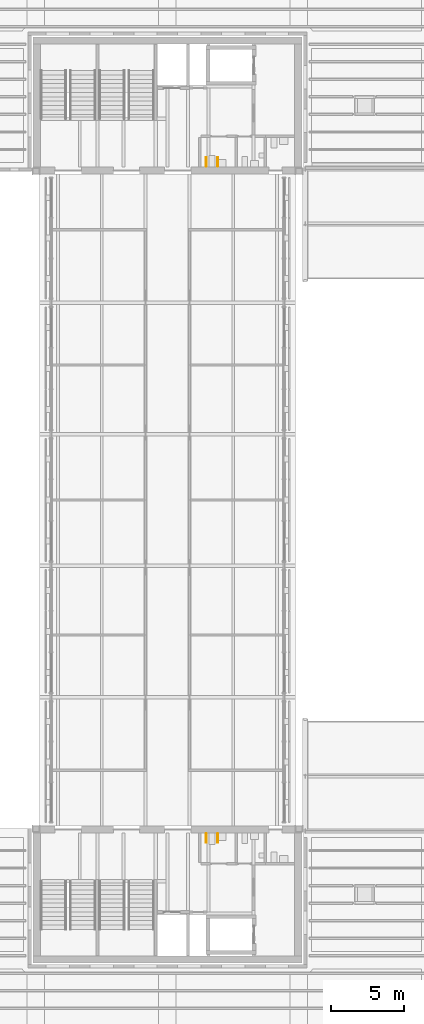
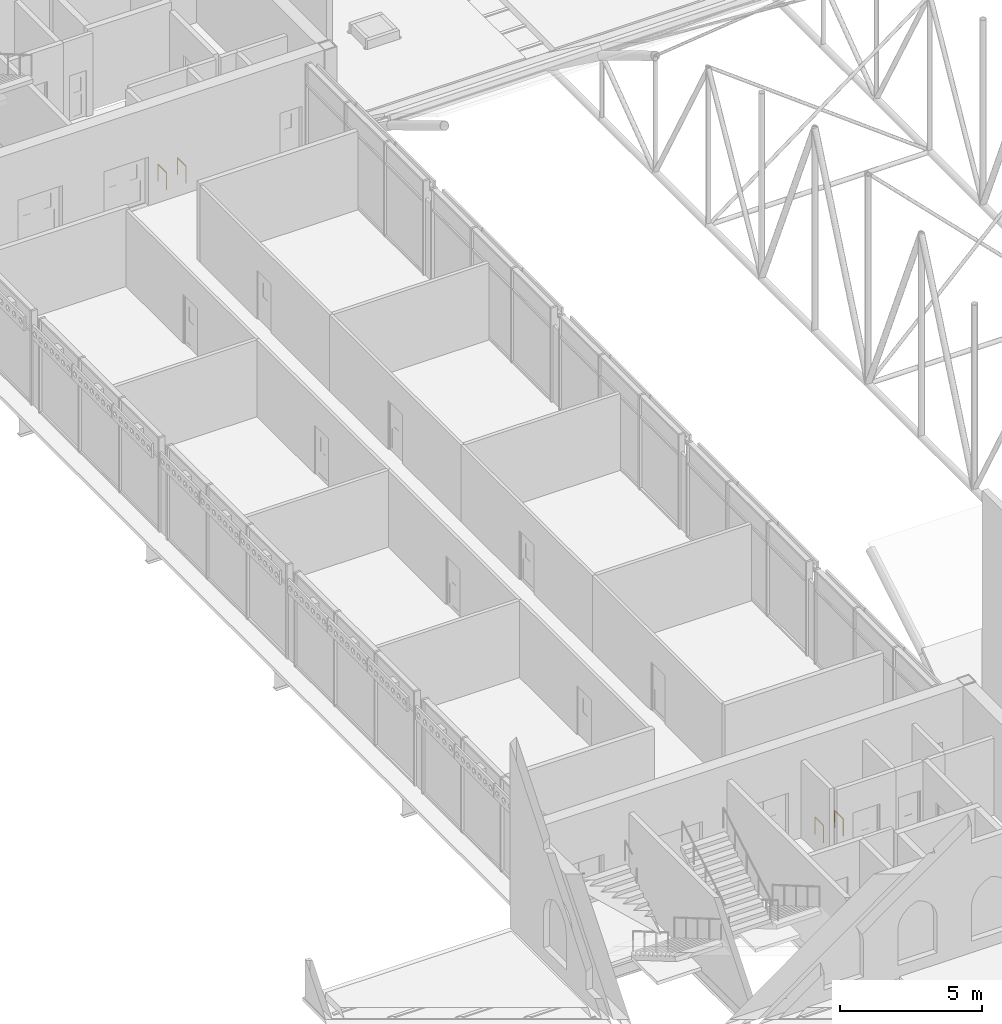
# One storey, part 150 of 153: 4 railings.
"""IFC4 building model written with IfcOpenShell, lengths in metres."""

import ifcopenshell
import ifcopenshell.guid

model = None  # the IFC model being written
_history = None  # IfcOwnerHistory: only IFC2X3 demands one
_inside = {}  # id of a spatial element -> (the spatial element, [elements in it])
_under = {}  # id of a project, library or spatial element -> (it, [spatial elements below it])
_declared = {}  # id of a project -> (the project, [libraries it declares])
_typed = {}  # id of a type object -> (the type object, [elements of that type])
_made_of = {}  # id of a material, layer set ... -> (it, [elements and type objects made of it])


def new_model(schema):
    """Start an empty IFC model of exactly this schema.

    Asked for "IFC4X3", IfcOpenShell would pick the latest addendum, in which some entities
    have other attributes; the version numbers below select the first issue.
    IFC2X3 requires an IfcOwnerHistory on every rooted entity: one is made here for all.
    """
    global model, _history
    if schema == "IFC4X3":
        model = ifcopenshell.file(schema_version=(4, 3, 0, 0))
    else:
        model = ifcopenshell.file(schema=schema)
    _inside.clear()
    _under.clear()
    _declared.clear()
    _typed.clear()
    _made_of.clear()
    _history = None
    if model.schema == "IFC2X3":
        org = make("IfcOrganization", Name="unknown")
        user = make(
            "IfcPersonAndOrganization",
            ThePerson=make("IfcPerson", FamilyName="unknown"),
            TheOrganization=org,
        )
        app = make(
            "IfcApplication",
            ApplicationDeveloper=org,
            Version="unknown",
            ApplicationFullName="unknown",
            ApplicationIdentifier="unknown",
        )
        _history = make(
            "IfcOwnerHistory",
            OwningUser=user,
            OwningApplication=app,
            ChangeAction="ADDED",
            CreationDate=0,
        )
    return model


def make(cls, **values):
    """One entity of the class cls with the attributes given. An attribute that is None is left unset."""
    return model.create_entity(
        cls, **{name: value for name, value in values.items() if value is not None}
    )


def rooted(cls, **values):
    """An entity with a GlobalId (a new one), such as an element, a storey or a relation."""
    return make(cls, GlobalId=ifcopenshell.guid.new(), OwnerHistory=_history, **values)


def si_unit(unit_type, name, prefix=None):
    """IfcSIUnit, for example si_unit("LENGTHUNIT", "METRE", prefix="MILLI")."""
    return make("IfcSIUnit", UnitType=unit_type, Prefix=prefix, Name=name)


def assignment(units):
    """IfcUnitAssignment: the units of a project."""
    return None if units is None else make("IfcUnitAssignment", Units=units)


def point(xyz):
    """IfcCartesianPoint."""
    return None if xyz is None else make("IfcCartesianPoint", Coordinates=xyz)


def direction(xyz):
    """IfcDirection."""
    return None if xyz is None else make("IfcDirection", DirectionRatios=xyz)


def frame(location, z_axis=None, x_axis=None):
    """IfcAxis2Placement3D, a coordinate frame: its origin and axes. An axis left out is left unset."""
    return make(
        "IfcAxis2Placement3D",
        Location=point(location),
        Axis=direction(z_axis),
        RefDirection=direction(x_axis),
    )


def frame_2d(location, x_axis=None):
    """IfcAxis2Placement2D, a coordinate frame in the plane: its origin and x axis."""
    return make(
        "IfcAxis2Placement2D", Location=point(location), RefDirection=direction(x_axis)
    )


def origin():
    """The frame at (0, 0, 0) with its axes left unset."""
    return frame((0.0, 0.0, 0.0))


def origin_2d():
    """The frame at (0, 0) in the plane with its x axis left unset."""
    return frame_2d((0.0, 0.0))


def place(relative_to, where):
    """IfcLocalPlacement: puts the frame where relative to a parent placement (None: the world)."""
    return make(
        "IfcLocalPlacement", PlacementRelTo=relative_to, RelativePlacement=where
    )


def context(
    kind, dimensions, precision=None, world=None, true_north=None, identifier=None
):
    """IfcGeometricRepresentationContext, for example the 3D "Model" context."""
    return make(
        "IfcGeometricRepresentationContext",
        ContextIdentifier=identifier,
        ContextType=kind,
        CoordinateSpaceDimension=dimensions,
        Precision=precision,
        WorldCoordinateSystem=world,
        TrueNorth=true_north,
    )


def subcontext(parent, identifier, kind, view, scale=None):
    """IfcGeometricRepresentationSubContext, for example "Body" below "Model"."""
    return make(
        "IfcGeometricRepresentationSubContext",
        ContextIdentifier=identifier,
        ContextType=kind,
        ParentContext=parent,
        TargetScale=scale,
        TargetView=view,
    )


def project(units=None, contexts=None):
    """IfcProject with its units and contexts."""
    return rooted(
        "IfcProject",
        Name="project",
        RepresentationContexts=contexts,
        UnitsInContext=assignment(units),
    )


def spatial(cls, under=None, at=None, **own):
    """A site, building, storey or space (cls), placed at a placement, below another one or the project."""
    s = rooted(cls, ObjectPlacement=at, **own)
    if under is not None:
        _under.setdefault(under.id(), (under, []))[1].append(s)
    return s


def profile(cls, at=None, kind="AREA", **sizes):
    """A parametric profile (cls). Its sizes go by their IFC names, for example OverallWidth=200.0."""
    return make(cls, ProfileType=kind, Position=at, **sizes)


def circle(**sizes):
    """IfcCircleProfileDef."""
    return profile("IfcCircleProfileDef", **sizes)


def extrude(swept, where, along, depth):
    """IfcExtrudedAreaSolid: the profile swept, set in the frame where, extruded along a direction by depth."""
    return make(
        "IfcExtrudedAreaSolid",
        SweptArea=swept,
        Position=where,
        ExtrudedDirection=direction(along),
        Depth=depth,
    )


def shape(context_of_items, identifier, shape_type, items):
    """IfcShapeRepresentation: the items that make up one representation, for example the "Body"."""
    return make(
        "IfcShapeRepresentation",
        ContextOfItems=context_of_items,
        RepresentationIdentifier=identifier,
        RepresentationType=shape_type,
        Items=items,
    )


def material(Name=None, Category=None):
    """IfcMaterial."""
    return make("IfcMaterial", Name=Name, Category=Category)


def made_of(thing, what):
    """Note that an element or type object is made of a material, layer set ...; save() writes the relation."""
    if what is not None:
        _made_of.setdefault(what.id(), (what, []))[1].append(thing)
    return thing


def type_object(cls, material=None, **own):
    """A type object (cls), such as IfcWallType, which elements share."""
    return made_of(rooted(cls, **own), material)


def element(
    cls,
    number,
    at=None,
    inside=None,
    cuts=None,
    type_object=None,
    material=None,
    context=None,
    identifier="Body",
    shape_type=None,
    held_by="IfcProductDefinitionShape",
    body=None,
    shapes=None,
    **own,
):
    """One element of the class cls, such as IfcWall. Its Tag is "e" and its number.

    at: its placement. inside: the storey or other place that contains it. cuts: it is an
    opening in that element (IfcRelVoidsElement). A single representation is given by context,
    identifier, shape_type and body (its items); several are given by shapes. held_by: the class
    of the entity that holds the representations. save() writes the other relations.
    """
    e = rooted(cls, Tag="e%d" % number, ObjectPlacement=at, **own)
    if body is not None:
        shapes = [shape(context, identifier, shape_type, body)]
    if shapes is not None:
        e.Representation = make(held_by, Representations=shapes)
    if inside is not None:
        _inside.setdefault(inside.id(), (inside, []))[1].append(e)
    if cuts is not None:
        rooted(
            "IfcRelVoidsElement", RelatingBuildingElement=cuts, RelatedOpeningElement=e
        )
    if type_object is not None:
        _typed.setdefault(type_object.id(), (type_object, []))[1].append(e)
    return made_of(e, material)


def aggregate(whole, parts):
    """IfcRelAggregates: a whole, such as a stair, and the parts it consists of."""
    return rooted("IfcRelAggregates", RelatingObject=whole, RelatedObjects=parts)


def save(model, path):
    """Write the relations noted so far, then the file.

    IfcRelAggregates (storeys below a building ...), IfcRelContainedInSpatialStructure (elements
    in a storey), IfcRelDefinesByType, IfcRelAssociatesMaterial and IfcRelDeclares: one each for
    every whole, place, type object, material and project.
    """
    for whole, parts in _under.values():
        aggregate(whole, parts)
    for where, things in _inside.values():
        rooted(
            "IfcRelContainedInSpatialStructure",
            RelatedElements=things,
            RelatingStructure=where,
        )
    for kind, things in _typed.values():
        rooted("IfcRelDefinesByType", RelatedObjects=things, RelatingType=kind)
    for what, things in _made_of.values():
        rooted("IfcRelAssociatesMaterial", RelatedObjects=things, RelatingMaterial=what)
    for by, libraries in _declared.values():
        rooted("IfcRelDeclares", RelatingContext=by, RelatedDefinitions=libraries)
    model.write(path)


model = new_model("IFC4")

# Units and contexts
model_context = context("Model", 3, precision=1e-05, world=origin(), true_north=direction((0.0, 1.0)))
body_context = subcontext(model_context, "Body", "Model", "MODEL_VIEW")
ifc_project = project(units=[si_unit("LENGTHUNIT", "METRE"), si_unit("AREAUNIT", "SQUARE_METRE"), si_unit("VOLUMEUNIT", "CUBIC_METRE"), si_unit("PLANEANGLEUNIT", "RADIAN"), si_unit("MASSUNIT", "GRAM", prefix="KILO")], contexts=[model_context])

# Site, building, storey
site_placement = place(None, origin())
site = spatial("IfcSite", under=ifc_project, at=site_placement, CompositionType="ELEMENT")
building_placement = place(site_placement, origin())
building = spatial("IfcBuilding", under=site, at=building_placement, Name="Baradari Gate Terminus", CompositionType="ELEMENT")
storey_placement = place(building_placement, frame((0.0, 0.0, 11.699951171875)))
storey = spatial("IfcBuildingStorey", under=building, at=storey_placement, Name="L02", CompositionType="ELEMENT", Elevation=11.699951171875)

# Railings
ifc_material = material(Name="Stainless steel 1.4301", Category="steel")
railing_type = type_object("IfcRailingType", Name="Grab rail GB-1 750", PredefinedType="HANDRAIL", material=ifc_material)
for number, where, name in (
    (1, (83.64990234375, 81.35009765625, 0.0), "Grab rail Accessible WC"),
    (2, (84.449951171875, 81.35009765625, 0.0), "Grab rail Accessible WC"),
):
    element("IfcRailing", number, at=place(storey_placement, frame(where)), inside=storey, type_object=railing_type, Name=name, PredefinedType="HANDRAIL", context=body_context, shape_type="SweptSolid", body=[
        extrude(circle(Radius=0.02392578125, at=origin_2d()), frame((0.0, 0.0, 0.72607421875), z_axis=(0.0, 1.0, 0.0), x_axis=(-1.0, 0.0, 0.0)), (0.0, 0.0, 1.0), 0.599853515625),
        extrude(circle(Radius=0.02099609375, at=origin_2d()), origin(), (0.0, 0.0, 1.0), 0.701904296875),
        extrude(circle(Radius=0.02099609375, at=origin_2d()), frame((0.0, 0.599853515625, 0.0)), (0.0, 0.0, 1.0), 0.701904296875),
    ])
for number, where, name in (
    (3, (83.64990234375, 35.64990234375, 0.0), "Grab rail Accessible WC"),
    (4, (84.449951171875, 35.64990234375, 0.0), "Grab rail Accessible WC"),
):
    element("IfcRailing", number, at=place(storey_placement, frame(where)), inside=storey, type_object=railing_type, Name=name, PredefinedType="HANDRAIL", context=body_context, shape_type="SweptSolid", body=[
        extrude(circle(Radius=0.02392578125, at=origin_2d()), frame((0.0, 0.0, 0.72607421875), z_axis=(0.0, -1.0, 0.0), x_axis=(1.0, 0.0, 0.0)), (0.0, 0.0, 1.0), 0.599853515625),
        extrude(circle(Radius=0.02099609375, at=origin_2d()), origin(), (0.0, 0.0, 1.0), 0.701904296875),
        extrude(circle(Radius=0.02099609375, at=origin_2d()), frame((0.0, -0.599853515625, 0.0)), (0.0, 0.0, 1.0), 0.701904296875),
    ])

save(model, "model.ifc")
